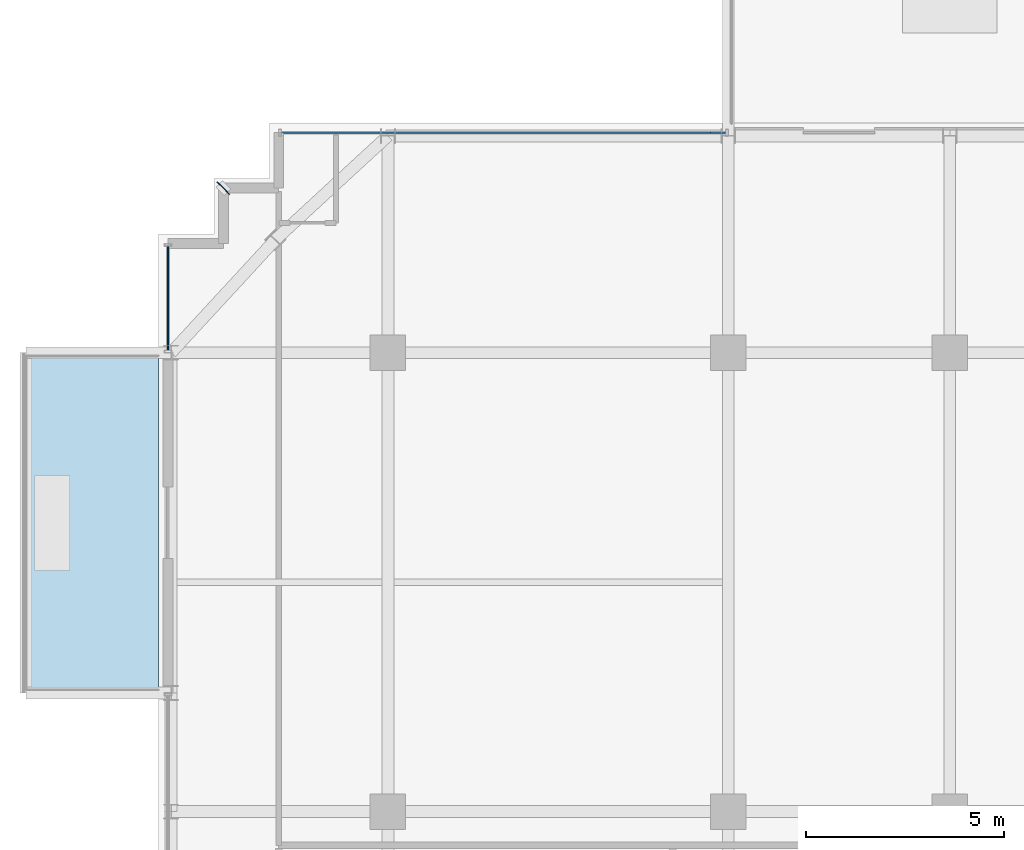
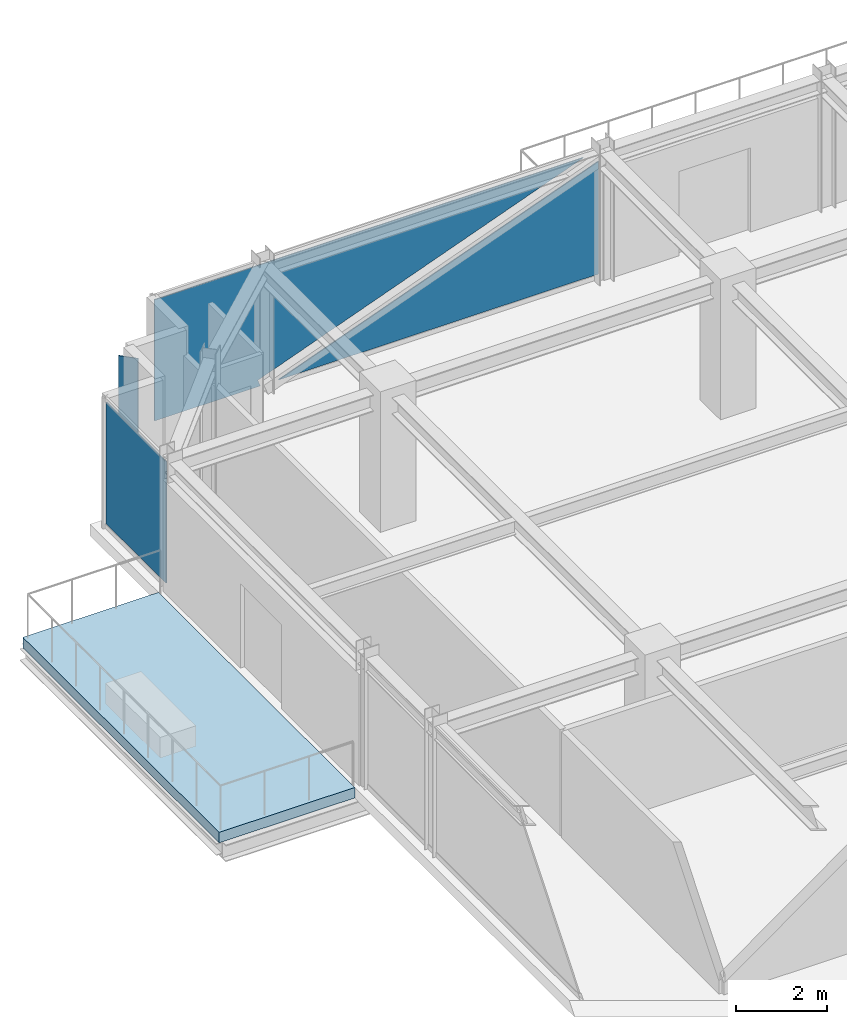
# One storey, part 28 of 36: 3 plates, 1 slab, 2 elements without a shape of their own.
"""IFC4 building model written with IfcOpenShell, lengths in metres."""

from ifc_helpers import new_model, si_unit, direction, frame, origin, origin_2d, place, context, subcontext, project, spatial, polyline, rectangle, outline, extrude, source, transform, mapped, material, layer, layer_set, type_object, element, aggregate, save


model = new_model("IFC4")

# Units and contexts
model_context = context("Model", 3, precision=1e-05, world=origin(), true_north=direction((0.0, 1.0)))
body_context = subcontext(model_context, "Body", "Model", "MODEL_VIEW")
ifc_project = project(units=[si_unit("LENGTHUNIT", "METRE"), si_unit("AREAUNIT", "SQUARE_METRE"), si_unit("VOLUMEUNIT", "CUBIC_METRE"), si_unit("PLANEANGLEUNIT", "RADIAN"), si_unit("MASSUNIT", "GRAM", prefix="KILO")], contexts=[model_context])

# Site, building, storey
site_placement = place(None, origin())
site = spatial("IfcSite", under=ifc_project, at=site_placement, CompositionType="ELEMENT")
building_placement = place(site_placement, origin())
building = spatial("IfcBuilding", under=site, at=building_placement, Name="Nahalor Promenade Grand Hotel", CompositionType="ELEMENT")
storey_placement = place(building_placement, frame((0.0, 0.0, 319.550048828125)))
storey = spatial("IfcBuildingStorey", under=building, at=storey_placement, Name="L82", CompositionType="ELEMENT", Elevation=319.550048828125)

# Curtain wall, plate
ifc_material_1 = material(Name="Anodised Bronze Aluminium EN AW-6063 T6", Category="aluminium")
curtain_wall_type = type_object("IfcCurtainWallType", Name="CW2 Typical Hotel Flush Bronze Unitised Curtain Wall", PredefinedType="USERDEFINED", material=ifc_material_1)
curtain_wall_1_placement = place(storey_placement, origin())
curtain_wall_1 = element("IfcCurtainWall", 1, at=curtain_wall_1_placement, inside=storey, type_object=curtain_wall_type, Name="L82 Curtain Wall CW-L82-N-1", ObjectType="UNITISED_CURTAIN_WALL", PredefinedType="USERDEFINED")
ifc_material_2 = material(Name="Low-E Laminated Solar Glass", Category="glass")
ifc_layer_1 = layer(ifc_material_2, 0.028076171875)
ifc_layer_set_1 = layer_set([ifc_layer_1], Name="Low-E Laminated Solar Glass")
plate_type_1 = type_object("IfcPlateType", Name="CWP2 Bronze Low-E Vision IGU 28mm", PredefinedType="CURTAIN_PANEL", material=ifc_layer_set_1)
plate_1_placement = place(storey_placement, frame((-14.080078125, 22.56005859375, 0.1298828125), z_axis=(0.0, 0.0, 1.0), x_axis=(1.0, 0.0, 0.0)))
plate_1 = element("IfcPlate", 2, at=plate_1_placement, type_object=plate_type_1, Name="CW-L82-N-1 Glazing Panel 0-0", PredefinedType="CURTAIN_PANEL", context=body_context, shape_type="SweptSolid", body=[
    extrude(outline(polyline([(-5.614990234375, 3.239990234375), (-5.614990234375, 0.0), (-2.939208984375, 0.0), (-3.00439453125, 0.17529296875), (5.23193359375, 3.239990234375), (-5.614990234375, 3.239990234375)])), frame((0.0, 0.01416015625, 0.0), z_axis=(0.0, -1.0, 0.0), x_axis=(1.0, 0.0, 0.0)), (0.0, 0.0, 1.0), 0.028076171875),
    extrude(outline(polyline([(-2.471923828125, 0.0), (5.614990234375, 0.0), (5.614990234375, 3.009033203125), (-2.471923828125, 0.0)])), frame((0.0, 0.01416015625, 0.0), z_axis=(0.0, -1.0, 0.0), x_axis=(1.0, 0.0, 0.0)), (0.0, 0.0, 1.0), 0.028076171875),
])
aggregate(curtain_wall_1, [plate_1])

# Slab
ifc_material_3 = material(Name="Concrete B-50 (C40/50)", Category="concrete")
ifc_layer_2 = layer(ifc_material_3, 0.280029296875)
ifc_layer_set_2 = layer_set([ifc_layer_2], Name="Concrete B-50 (C40/50)")
slab_type = type_object("IfcSlabType", Name="Slab-Balcony-280", PredefinedType="FLOOR", material=ifc_layer_set_2)
slab_placement = place(storey_placement, frame((0.0, 0.0, -0.280029296875)))
element("IfcSlab", 3, at=slab_placement, inside=storey, type_object=slab_type, Name="L82 Cantilevered Planted Balcony 2", PredefinedType="FLOOR", context=body_context, shape_type="SweptSolid", body=[
    extrude(outline(polyline([(-26.22998046875, 8.39990234375), (-22.800048828125, 8.39990234375), (-22.800048828125, 17.0), (-26.22998046875, 17.0), (-26.22998046875, 8.39990234375)])), origin(), (0.0, 0.0, 1.0), 0.280029296875),
])

# Plate
ifc_layer_3 = layer(ifc_material_1, 0.02001953125)
ifc_layer_set_3 = layer_set([ifc_layer_3], Name="Anodised Bronze Aluminium EN AW-6063 T6")
plate_type_2 = type_object("IfcPlateType", Name="Plate-CornerFin-20", PredefinedType="SHEET", material=ifc_layer_set_3)
shared_shape_1 = source(origin(), body_context, "Body", "SweptSolid", [
    extrude(rectangle(XDim=0.449951171875, YDim=0.02001953125, at=origin_2d()), origin(), (0.0, 0.0, 1.0), 3.199951171875),
])
plate_2_placement = place(storey_placement, frame((-21.159912109375, 21.159912109375, 0.0), z_axis=(0.0, 0.0, 1.0), x_axis=(-0.707106781187, 0.707106781187, 0.0)))
element("IfcPlate", 4, at=plate_2_placement, inside=storey, type_object=plate_type_2, Name="FIN-L82-NW", PredefinedType="SHEET", context=body_context, shape_type="MappedRepresentation", body=[
    mapped(shared_shape_1, transform((0.0, 0.0, 0.0), scale=1.0)),
])

# Curtain wall, plate
curtain_wall_2_placement = place(storey_placement, origin())
curtain_wall_2 = element("IfcCurtainWall", 5, at=curtain_wall_2_placement, inside=storey, type_object=curtain_wall_type, Name="L82 Curtain Wall CW-L82-W-3", ObjectType="UNITISED_CURTAIN_WALL", PredefinedType="USERDEFINED")
shared_shape_2 = source(origin(), body_context, "Body", "SweptSolid", [
    extrude(rectangle(XDim=2.6298828125, YDim=0.028076171875, at=origin_2d()), origin(), (0.0, 0.0, 1.0), 3.239990234375),
])
plate_3_placement = place(storey_placement, frame((-22.56005859375, 18.3798828125, 0.1298828125), z_axis=(0.0, 0.0, 1.0), x_axis=(0.0, 1.0, 0.0)))
plate_3 = element("IfcPlate", 6, at=plate_3_placement, type_object=plate_type_1, Name="CW-L82-W-3 Glazing Panel 0-0", PredefinedType="CURTAIN_PANEL", context=body_context, shape_type="MappedRepresentation", body=[
    mapped(shared_shape_2, transform((0.0, 0.0, 0.0), scale=1.0)),
])
aggregate(curtain_wall_2, [plate_3])

save(model, "model.ifc")
